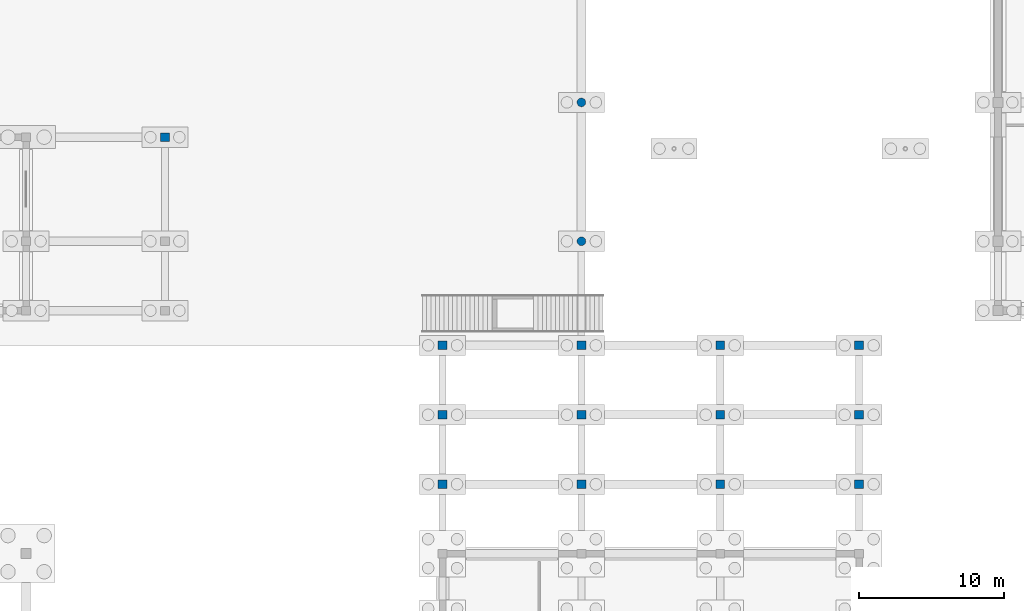
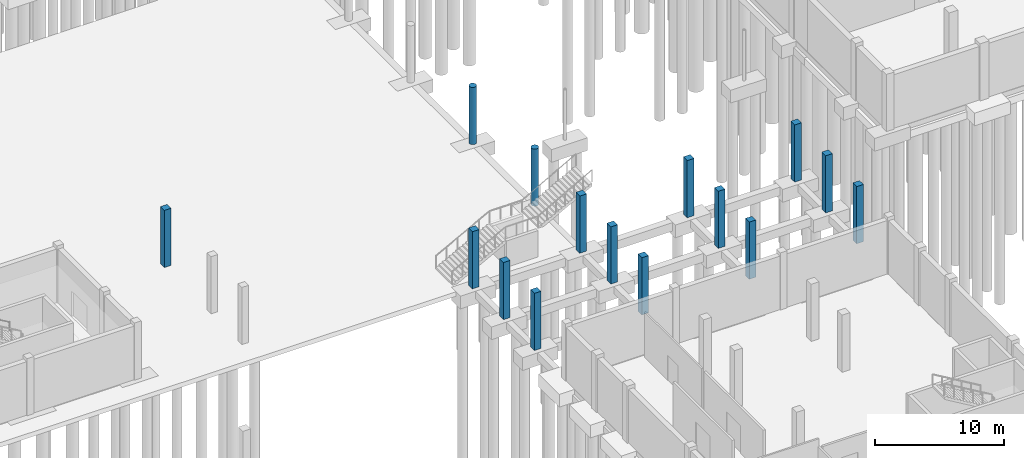
# One storey, part 10 of 41: 15 columns.
"""IFC4 building model written with IfcOpenShell, lengths in metres."""

from ifc_helpers import new_model, si_unit, direction, frame, origin, origin_2d, place, context, subcontext, project, spatial, rectangle, circle, extrude, material, material_profile, profile_set, type_object, element, save


model = new_model("IFC4")

# Units and contexts
model_context = context("Model", 3, precision=1e-05, world=origin(), true_north=direction((0.0, 1.0)))
body_context = subcontext(model_context, "Body", "Model", "MODEL_VIEW")
ifc_project = project(units=[si_unit("LENGTHUNIT", "METRE"), si_unit("AREAUNIT", "SQUARE_METRE"), si_unit("VOLUMEUNIT", "CUBIC_METRE"), si_unit("PLANEANGLEUNIT", "RADIAN"), si_unit("MASSUNIT", "GRAM", prefix="KILO")], contexts=[model_context])

# Site, building, storey
site_placement = place(None, origin())
site = spatial("IfcSite", under=ifc_project, at=site_placement, CompositionType="ELEMENT")
building_placement = place(site_placement, origin())
building = spatial("IfcBuilding", under=site, at=building_placement, Name="Shalvenor Court Art Gallery", CompositionType="ELEMENT")
storey_placement = place(building_placement, frame((0.0, 0.0, -5.39990234375)))
storey = spatial("IfcBuildingStorey", under=building, at=storey_placement, Name="B01", CompositionType="ELEMENT", Elevation=-5.39990234375)

# Columns
ifc_material_1 = material(Name="Concrete C40/50", Category="concrete")
ifc_material_profile_1 = material_profile(ifc_material_1, rectangle(XDim=0.60009765625, YDim=0.60009765625, at=origin_2d()), Name="RC 600x600")
ifc_profile_set_1 = profile_set([ifc_material_profile_1], Name="Concrete C40/50")
column_type_1 = type_object("IfcColumnType", Name="C-03", PredefinedType="COLUMN", material=ifc_profile_set_1)
for number, where, z_axis, x_axis, name in (
    (1, (105.60009765625, 33.60009765625, 0.0), (0.0, 0.0, 1.0), (1.0, 0.0, 0.0), "B01 Column COL-B01-C-03-0416"),
    (2, (105.60009765625, 38.39990234375, 0.0), (0.0, 0.0, 1.0), (1.0, 0.0, 0.0), "B01 Column COL-B01-C-03-0419"),
    (3, (115.199951171875, 33.60009765625, 0.0), (0.0, 0.0, 1.0), (1.0, 0.0, 0.0), "B01 Column COL-B01-C-03-0466"),
    (4, (115.199951171875, 38.39990234375, 0.0), (0.0, 0.0, 1.0), (1.0, 0.0, 0.0), "B01 Column COL-B01-C-03-0469"),
):
    element("IfcColumn", number, at=place(storey_placement, frame(where, z_axis=z_axis, x_axis=x_axis)), inside=storey, type_object=column_type_1, Name=name, PredefinedType="COLUMN", context=body_context, shape_type="SweptSolid", body=[
        extrude(rectangle(XDim=0.60009765625, YDim=0.60009765625, at=origin_2d()), origin(), (0.0, 0.0, 1.0), 5.39990234375),
    ])
ifc_material_2 = material(Name="Concrete C40/50", Category="concrete")
ifc_material_profile_2 = material_profile(ifc_material_2, rectangle(XDim=0.60009765625, YDim=0.60009765625, at=origin_2d()), Name="RC 600x600")
ifc_profile_set_2 = profile_set([ifc_material_profile_2], Name="Concrete C40/50")
column_type_2 = type_object("IfcColumnType", Name="C-03E", PredefinedType="COLUMN", material=ifc_profile_set_2)
for number, where, z_axis, x_axis, name in (
    (5, (76.800048828125, 57.60009765625, 0.0), (0.0, 0.0, 1.0), (1.0, 0.0, 0.0), "B01 Column COL-B01-C-03E-0300"),
    (6, (96.0, 33.60009765625, 0.0), (0.0, 0.0, 1.0), (1.0, 0.0, 0.0), "B01 Column COL-B01-C-03E-0365"),
    (7, (96.0, 38.39990234375, 0.0), (0.0, 0.0, 1.0), (1.0, 0.0, 0.0), "B01 Column COL-B01-C-03E-0368"),
    (8, (96.0, 43.199951171875, 0.0), (0.0, 0.0, 1.0), (1.0, 0.0, 0.0), "B01 Column COL-B01-C-03E-0370"),
    (9, (105.60009765625, 43.199951171875, 0.0), (0.0, 0.0, 1.0), (1.0, 0.0, 0.0), "B01 Column COL-B01-C-03E-0421"),
    (10, (115.199951171875, 43.199951171875, 0.0), (0.0, 0.0, 1.0), (1.0, 0.0, 0.0), "B01 Column COL-B01-C-03E-0471"),
    (11, (124.800048828125, 33.60009765625, 0.0), (0.0, 0.0, 1.0), (1.0, 0.0, 0.0), "B01 Column COL-B01-C-03E-0513"),
    (12, (124.800048828125, 38.39990234375, 0.0), (0.0, 0.0, 1.0), (1.0, 0.0, 0.0), "B01 Column COL-B01-C-03E-0516"),
    (13, (124.800048828125, 43.199951171875, 0.0), (0.0, 0.0, 1.0), (1.0, 0.0, 0.0), "B01 Column COL-B01-C-03E-0518"),
):
    element("IfcColumn", number, at=place(storey_placement, frame(where, z_axis=z_axis, x_axis=x_axis)), inside=storey, type_object=column_type_2, Name=name, PredefinedType="COLUMN", context=body_context, shape_type="SweptSolid", body=[
        extrude(rectangle(XDim=0.60009765625, YDim=0.60009765625, at=origin_2d()), origin(), (0.0, 0.0, 1.0), 5.39990234375),
    ])
ifc_material_3 = material(Name="Concrete C40/50", Category="concrete")
ifc_material_profile_3 = material_profile(ifc_material_3, circle(Radius=0.300048828125, at=origin_2d()), Name="RC D600")
ifc_profile_set_3 = profile_set([ifc_material_profile_3], Name="Concrete C40/50")
column_type_3 = type_object("IfcColumnType", Name="C-08", PredefinedType="COLUMN", material=ifc_profile_set_3)
for number, where, z_axis, x_axis, name in (
    (14, (105.60009765625, 50.39990234375, 0.0), (0.0, 0.0, 1.0), (1.0, 0.0, 0.0), "B01 Column COL-B01-C-08-0422"),
    (15, (105.60009765625, 60.0, 0.0), (0.0, 0.0, 1.0), (1.0, 0.0, 0.0), "B01 Column COL-B01-C-08-0423"),
):
    element("IfcColumn", number, at=place(storey_placement, frame(where, z_axis=z_axis, x_axis=x_axis)), inside=storey, type_object=column_type_3, Name=name, PredefinedType="COLUMN", context=body_context, shape_type="SweptSolid", body=[
        extrude(circle(Radius=0.300048828125, at=origin_2d()), origin(), (0.0, 0.0, 1.0), 5.39990234375),
    ])

save(model, "model.ifc")
